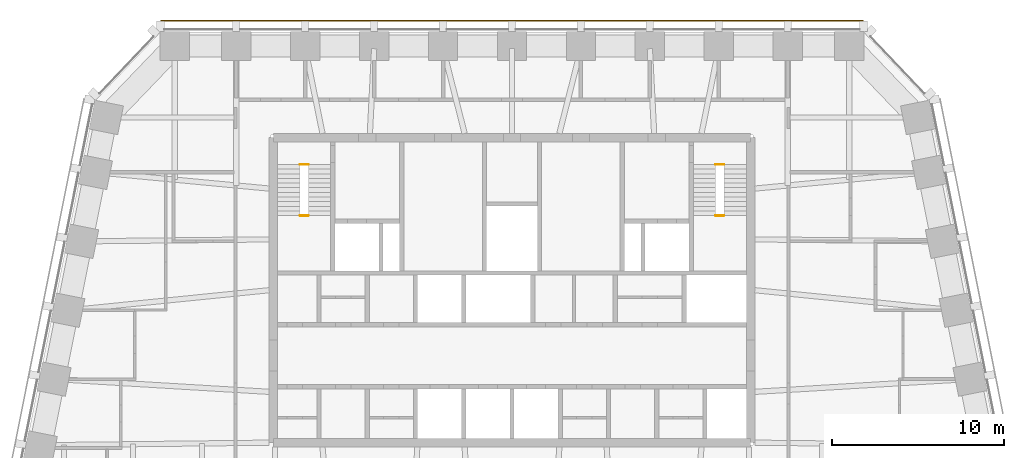
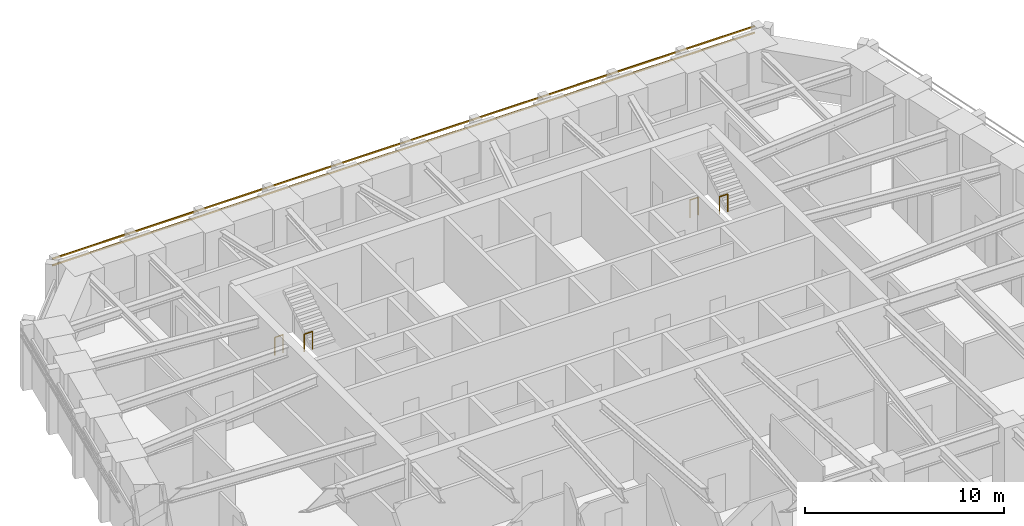
# One storey, part 11 of 11: 4 railings, 2 shading devices.
"""IFC4 building model written with IfcOpenShell, lengths in metres."""

import ifcopenshell
import ifcopenshell.guid

model = None  # the IFC model being written
_history = None  # IfcOwnerHistory: only IFC2X3 demands one
_inside = {}  # id of a spatial element -> (the spatial element, [elements in it])
_under = {}  # id of a project, library or spatial element -> (it, [spatial elements below it])
_declared = {}  # id of a project -> (the project, [libraries it declares])
_typed = {}  # id of a type object -> (the type object, [elements of that type])
_made_of = {}  # id of a material, layer set ... -> (it, [elements and type objects made of it])


def new_model(schema):
    """Start an empty IFC model of exactly this schema.

    Asked for "IFC4X3", IfcOpenShell would pick the latest addendum, in which some entities
    have other attributes; the version numbers below select the first issue.
    IFC2X3 requires an IfcOwnerHistory on every rooted entity: one is made here for all.
    """
    global model, _history
    if schema == "IFC4X3":
        model = ifcopenshell.file(schema_version=(4, 3, 0, 0))
    else:
        model = ifcopenshell.file(schema=schema)
    _inside.clear()
    _under.clear()
    _declared.clear()
    _typed.clear()
    _made_of.clear()
    _history = None
    if model.schema == "IFC2X3":
        org = make("IfcOrganization", Name="unknown")
        user = make(
            "IfcPersonAndOrganization",
            ThePerson=make("IfcPerson", FamilyName="unknown"),
            TheOrganization=org,
        )
        app = make(
            "IfcApplication",
            ApplicationDeveloper=org,
            Version="unknown",
            ApplicationFullName="unknown",
            ApplicationIdentifier="unknown",
        )
        _history = make(
            "IfcOwnerHistory",
            OwningUser=user,
            OwningApplication=app,
            ChangeAction="ADDED",
            CreationDate=0,
        )
    return model


def make(cls, **values):
    """One entity of the class cls with the attributes given. An attribute that is None is left unset."""
    return model.create_entity(
        cls, **{name: value for name, value in values.items() if value is not None}
    )


def rooted(cls, **values):
    """An entity with a GlobalId (a new one), such as an element, a storey or a relation."""
    return make(cls, GlobalId=ifcopenshell.guid.new(), OwnerHistory=_history, **values)


def si_unit(unit_type, name, prefix=None):
    """IfcSIUnit, for example si_unit("LENGTHUNIT", "METRE", prefix="MILLI")."""
    return make("IfcSIUnit", UnitType=unit_type, Prefix=prefix, Name=name)


def assignment(units):
    """IfcUnitAssignment: the units of a project."""
    return None if units is None else make("IfcUnitAssignment", Units=units)


def point(xyz):
    """IfcCartesianPoint."""
    return None if xyz is None else make("IfcCartesianPoint", Coordinates=xyz)


def direction(xyz):
    """IfcDirection."""
    return None if xyz is None else make("IfcDirection", DirectionRatios=xyz)


def frame(location, z_axis=None, x_axis=None):
    """IfcAxis2Placement3D, a coordinate frame: its origin and axes. An axis left out is left unset."""
    return make(
        "IfcAxis2Placement3D",
        Location=point(location),
        Axis=direction(z_axis),
        RefDirection=direction(x_axis),
    )


def frame_2d(location, x_axis=None):
    """IfcAxis2Placement2D, a coordinate frame in the plane: its origin and x axis."""
    return make(
        "IfcAxis2Placement2D", Location=point(location), RefDirection=direction(x_axis)
    )


def origin():
    """The frame at (0, 0, 0) with its axes left unset."""
    return frame((0.0, 0.0, 0.0))


def origin_2d():
    """The frame at (0, 0) in the plane with its x axis left unset."""
    return frame_2d((0.0, 0.0))


def place(relative_to, where):
    """IfcLocalPlacement: puts the frame where relative to a parent placement (None: the world)."""
    return make(
        "IfcLocalPlacement", PlacementRelTo=relative_to, RelativePlacement=where
    )


def context(
    kind, dimensions, precision=None, world=None, true_north=None, identifier=None
):
    """IfcGeometricRepresentationContext, for example the 3D "Model" context."""
    return make(
        "IfcGeometricRepresentationContext",
        ContextIdentifier=identifier,
        ContextType=kind,
        CoordinateSpaceDimension=dimensions,
        Precision=precision,
        WorldCoordinateSystem=world,
        TrueNorth=true_north,
    )


def subcontext(parent, identifier, kind, view, scale=None):
    """IfcGeometricRepresentationSubContext, for example "Body" below "Model"."""
    return make(
        "IfcGeometricRepresentationSubContext",
        ContextIdentifier=identifier,
        ContextType=kind,
        ParentContext=parent,
        TargetScale=scale,
        TargetView=view,
    )


def project(units=None, contexts=None):
    """IfcProject with its units and contexts."""
    return rooted(
        "IfcProject",
        Name="project",
        RepresentationContexts=contexts,
        UnitsInContext=assignment(units),
    )


def spatial(cls, under=None, at=None, **own):
    """A site, building, storey or space (cls), placed at a placement, below another one or the project."""
    s = rooted(cls, ObjectPlacement=at, **own)
    if under is not None:
        _under.setdefault(under.id(), (under, []))[1].append(s)
    return s


def profile(cls, at=None, kind="AREA", **sizes):
    """A parametric profile (cls). Its sizes go by their IFC names, for example OverallWidth=200.0."""
    return make(cls, ProfileType=kind, Position=at, **sizes)


def rectangle(**sizes):
    """IfcRectangleProfileDef."""
    return profile("IfcRectangleProfileDef", **sizes)


def circle(**sizes):
    """IfcCircleProfileDef."""
    return profile("IfcCircleProfileDef", **sizes)


def extrude(swept, where, along, depth):
    """IfcExtrudedAreaSolid: the profile swept, set in the frame where, extruded along a direction by depth."""
    return make(
        "IfcExtrudedAreaSolid",
        SweptArea=swept,
        Position=where,
        ExtrudedDirection=direction(along),
        Depth=depth,
    )


def shape(context_of_items, identifier, shape_type, items):
    """IfcShapeRepresentation: the items that make up one representation, for example the "Body"."""
    return make(
        "IfcShapeRepresentation",
        ContextOfItems=context_of_items,
        RepresentationIdentifier=identifier,
        RepresentationType=shape_type,
        Items=items,
    )


def material(Name=None, Category=None):
    """IfcMaterial."""
    return make("IfcMaterial", Name=Name, Category=Category)


def material_profile(
    of_material, cross_section, Name=None, Category=None, Priority=None
):
    """IfcMaterialProfile: a cross section and its material."""
    return make(
        "IfcMaterialProfile",
        Name=Name,
        Material=of_material,
        Profile=cross_section,
        Priority=Priority,
        Category=Category,
    )


def profile_set(profiles, Name=None, composite=None):
    """IfcMaterialProfileSet."""
    return make(
        "IfcMaterialProfileSet",
        Name=Name,
        MaterialProfiles=profiles,
        CompositeProfile=composite,
    )


def made_of(thing, what):
    """Note that an element or type object is made of a material, layer set ...; save() writes the relation."""
    if what is not None:
        _made_of.setdefault(what.id(), (what, []))[1].append(thing)
    return thing


def type_object(cls, material=None, **own):
    """A type object (cls), such as IfcWallType, which elements share."""
    return made_of(rooted(cls, **own), material)


def element(
    cls,
    number,
    at=None,
    inside=None,
    cuts=None,
    type_object=None,
    material=None,
    context=None,
    identifier="Body",
    shape_type=None,
    held_by="IfcProductDefinitionShape",
    body=None,
    shapes=None,
    **own,
):
    """One element of the class cls, such as IfcWall. Its Tag is "e" and its number.

    at: its placement. inside: the storey or other place that contains it. cuts: it is an
    opening in that element (IfcRelVoidsElement). A single representation is given by context,
    identifier, shape_type and body (its items); several are given by shapes. held_by: the class
    of the entity that holds the representations. save() writes the other relations.
    """
    e = rooted(cls, Tag="e%d" % number, ObjectPlacement=at, **own)
    if body is not None:
        shapes = [shape(context, identifier, shape_type, body)]
    if shapes is not None:
        e.Representation = make(held_by, Representations=shapes)
    if inside is not None:
        _inside.setdefault(inside.id(), (inside, []))[1].append(e)
    if cuts is not None:
        rooted(
            "IfcRelVoidsElement", RelatingBuildingElement=cuts, RelatedOpeningElement=e
        )
    if type_object is not None:
        _typed.setdefault(type_object.id(), (type_object, []))[1].append(e)
    return made_of(e, material)


def aggregate(whole, parts):
    """IfcRelAggregates: a whole, such as a stair, and the parts it consists of."""
    return rooted("IfcRelAggregates", RelatingObject=whole, RelatedObjects=parts)


def save(model, path):
    """Write the relations noted so far, then the file.

    IfcRelAggregates (storeys below a building ...), IfcRelContainedInSpatialStructure (elements
    in a storey), IfcRelDefinesByType, IfcRelAssociatesMaterial and IfcRelDeclares: one each for
    every whole, place, type object, material and project.
    """
    for whole, parts in _under.values():
        aggregate(whole, parts)
    for where, things in _inside.values():
        rooted(
            "IfcRelContainedInSpatialStructure",
            RelatedElements=things,
            RelatingStructure=where,
        )
    for kind, things in _typed.values():
        rooted("IfcRelDefinesByType", RelatedObjects=things, RelatingType=kind)
    for what, things in _made_of.values():
        rooted("IfcRelAssociatesMaterial", RelatedObjects=things, RelatingMaterial=what)
    for by, libraries in _declared.values():
        rooted("IfcRelDeclares", RelatingContext=by, RelatedDefinitions=libraries)
    model.write(path)


model = new_model("IFC4")

# Units and contexts
model_context = context("Model", 3, precision=1e-05, world=origin(), true_north=direction((0.0, 1.0)))
body_context = subcontext(model_context, "Body", "Model", "MODEL_VIEW")
ifc_project = project(units=[si_unit("LENGTHUNIT", "METRE"), si_unit("AREAUNIT", "SQUARE_METRE"), si_unit("VOLUMEUNIT", "CUBIC_METRE"), si_unit("PLANEANGLEUNIT", "RADIAN"), si_unit("MASSUNIT", "GRAM", prefix="KILO")], contexts=[model_context])

# Site, building, storey
site_placement = place(None, origin())
site = spatial("IfcSite", under=ifc_project, at=site_placement, CompositionType="ELEMENT")
building_placement = place(site_placement, origin())
building = spatial("IfcBuilding", under=site, at=building_placement, Name="Isbrekke Arena Tower", CompositionType="ELEMENT")
storey_placement = place(building_placement, frame((0.0, 0.0, 264.0)))
storey = spatial("IfcBuildingStorey", under=building, at=storey_placement, Name="L61", CompositionType="ELEMENT", Elevation=264.0)

# Shading devices
ifc_material_1 = material(Name="Terracotta", Category="masonry")
ifc_material_profile = material_profile(ifc_material_1, rectangle(XDim=0.06005859375, YDim=0.06005859375, at=origin_2d()), Name="BAGUETTE 60X60")
ifc_profile_set = profile_set([ifc_material_profile], Name="Terracotta")
shading_device_type = type_object("IfcShadingDeviceType", Name="BG1 TERRACOTTA BAGUETTE 60 x 60", PredefinedType="USERDEFINED", material=ifc_profile_set)
for number, where, z_axis, x_axis, name in (
    (1, (20.39990234375, 30.655029296875, 3.280029296875), (-1.0, 0.0, 0.0), (0.0, -1.0, 0.0), "BG1 terracotta baguette N1 L61"),
    (2, (20.39990234375, 30.655029296875, 3.679931640625), (-1.0, 0.0, 0.0), (0.0, -1.0, 0.0), "BG1 terracotta baguette N2 L61"),
):
    element("IfcShadingDevice", number, at=place(storey_placement, frame(where, z_axis=z_axis, x_axis=x_axis)), inside=storey, type_object=shading_device_type, Name=name, ObjectType="TERRACOTTA BAGUETTE", PredefinedType="USERDEFINED", context=body_context, shape_type="SweptSolid", body=[
        extrude(rectangle(XDim=0.06005859375, YDim=0.06005859375, at=origin_2d()), origin(), (0.0, 0.0, 1.0), 40.7998046875),
    ])

# Railings
ifc_material_2 = material(Name="Steel stair guard, vertical bars, steel handrail", Category="steel")
railing_type = type_object("IfcRailingType", Name="GR3 STAIR WELL GUARD 1100", PredefinedType="GUARDRAIL", material=ifc_material_2)
for number, where, name in (
    (3, (-12.300048828125, 22.300048828125, 0.0), "GR3 stair well guard ST1 L61"),
    (4, (-12.300048828125, 19.330078125, 2.0), "GR3 stair well guard ST1 L61"),
    (5, (11.824951171875, 22.300048828125, 0.0), "GR3 stair well guard ST2 L61"),
    (6, (11.824951171875, 19.330078125, 2.0), "GR3 stair well guard ST2 L61"),
):
    element("IfcRailing", number, at=place(storey_placement, frame(where)), inside=storey, type_object=railing_type, Name=name, PredefinedType="GUARDRAIL", context=body_context, shape_type="SweptSolid", body=[
        extrude(circle(Radius=0.02392578125, at=origin_2d()), frame((0.0, 0.0, 1.076171875), z_axis=(1.0, 0.0, 0.0), x_axis=(0.0, 1.0, 0.0)), (0.0, 0.0, 1.0), 0.47509765625),
        extrude(circle(Radius=0.02099609375, at=origin_2d()), origin(), (0.0, 0.0, 1.0), 1.052001953125),
        extrude(circle(Radius=0.02099609375, at=origin_2d()), frame((0.47509765625, 0.0, 0.0)), (0.0, 0.0, 1.0), 1.052001953125),
    ])

save(model, "model.ifc")
